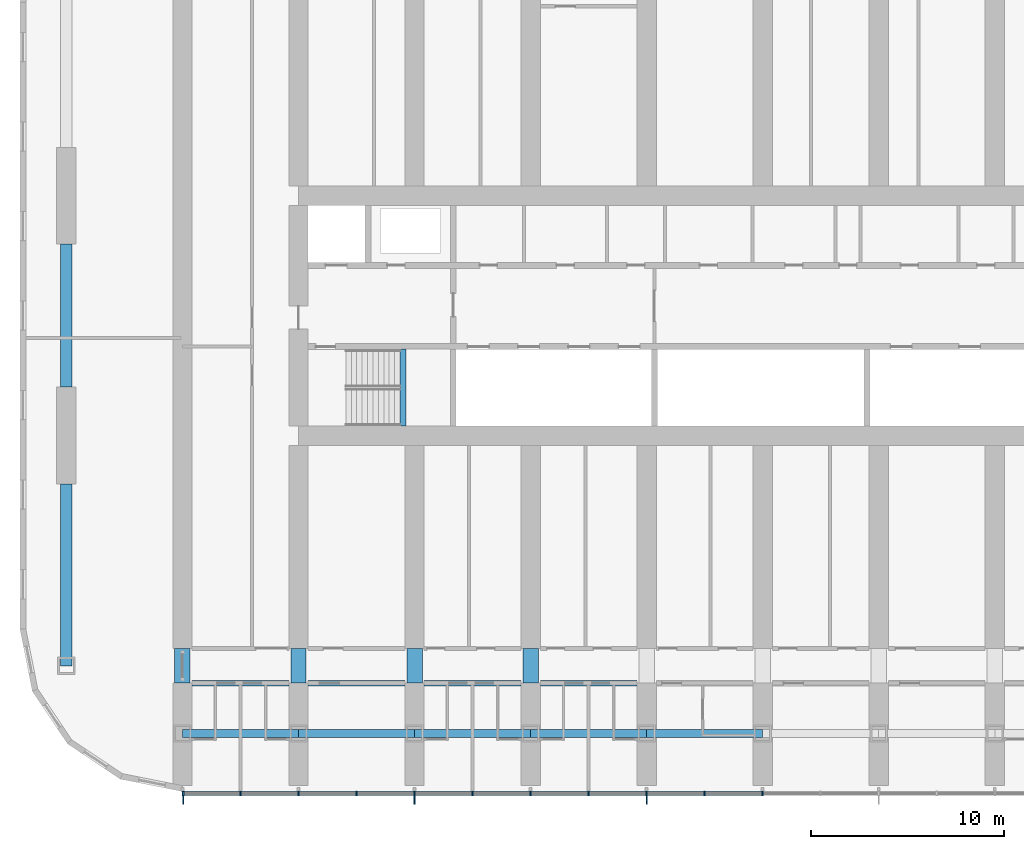
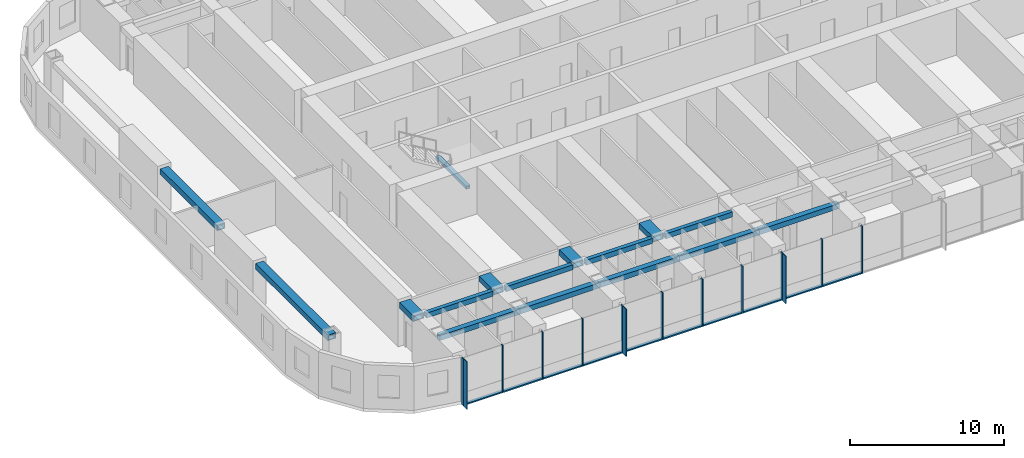
# One storey, part 2 of 23: 24 members, 16 beams, 1 element without a shape of its own.
"""IFC4 building model written with IfcOpenShell, lengths in metres."""

from ifc_helpers import new_model, si_unit, direction, frame, origin, origin_2d, place, context, subcontext, project, spatial, rectangle, hollow_rectangle, extrude, material, material_profile, profile_set, type_object, element, aggregate, save


model = new_model("IFC4")

# Units and contexts
model_context = context("Model", 3, precision=1e-05, world=origin(), true_north=direction((0.0, 1.0)))
body_context = subcontext(model_context, "Body", "Model", "MODEL_VIEW")
ifc_project = project(units=[si_unit("LENGTHUNIT", "METRE"), si_unit("AREAUNIT", "SQUARE_METRE"), si_unit("VOLUMEUNIT", "CUBIC_METRE"), si_unit("PLANEANGLEUNIT", "RADIAN"), si_unit("MASSUNIT", "GRAM", prefix="KILO")], contexts=[model_context])

# Site, building, storey
site_placement = place(None, origin())
site = spatial("IfcSite", under=ifc_project, at=site_placement, CompositionType="ELEMENT")
building_placement = place(site_placement, origin())
building = spatial("IfcBuilding", under=site, at=building_placement, Name="Orbita Commons", CompositionType="ELEMENT")
storey_placement = place(building_placement, frame((0.0, 0.0, 46.449951171875)))
storey = spatial("IfcBuildingStorey", under=building, at=storey_placement, Name="L11", CompositionType="ELEMENT", Elevation=46.449951171875)

# Curtain wall, members
ifc_material_1 = material(Name="Anodised aluminium frame, pale silver", Category="aluminium")
curtain_wall_type = type_object("IfcCurtainWallType", Name="Unitised curtain wall CW-T, vision and spandrel", PredefinedType="NOTDEFINED", material=ifc_material_1)
curtain_wall_placement = place(storey_placement, origin())
curtain_wall = element("IfcCurtainWall", 1, at=curtain_wall_placement, inside=storey, type_object=curtain_wall_type, Name="Curtain wall south L11", PredefinedType="NOTDEFINED")
ifc_material_2 = material(Name="Anodised aluminium, pale silver", Category="aluminium")
ifc_material_profile_1 = material_profile(ifc_material_2, rectangle(XDim=0.080078125, YDim=0.219970703125, at=origin_2d()), Name="AL 80x220")
ifc_profile_set_1 = profile_set([ifc_material_profile_1], Name="Anodised aluminium, pale silver")
member_type_1 = type_object("IfcMemberType", Name="Curtain wall mullion 80x220", PredefinedType="MULLION", material=ifc_profile_set_1)
member_1_placement = place(storey_placement, frame((12.0400390625, 7.2900390625, -0.25), z_axis=(0.0, 0.0, 1.0), x_axis=(1.0, 0.0, 0.0)))
member_1 = element("IfcMember", 2, at=member_1_placement, type_object=member_type_1, Name="Mullion 1 CW-L11-S", PredefinedType="MULLION", context=body_context, shape_type="SweptSolid", body=[
    extrude(rectangle(XDim=0.080078125, YDim=0.219970703125, at=origin_2d()), origin(), (0.0, 0.0, 1.0), 3.75),
])
member_2_placement = place(storey_placement, frame((15.0, 7.2900390625, -0.25), z_axis=(0.0, 0.0, 1.0), x_axis=(1.0, 0.0, 0.0)))
member_2 = element("IfcMember", 3, at=member_2_placement, type_object=member_type_1, Name="Mullion 2 CW-L11-S", PredefinedType="MULLION", context=body_context, shape_type="SweptSolid", body=[
    extrude(rectangle(XDim=0.080078125, YDim=0.219970703125, at=origin_2d()), origin(), (0.0, 0.0, 1.0), 3.75),
])
member_3_placement = place(storey_placement, frame((18.0, 7.2900390625, -0.25), z_axis=(0.0, 0.0, 1.0), x_axis=(1.0, 0.0, 0.0)))
member_3 = element("IfcMember", 4, at=member_3_placement, type_object=member_type_1, Name="Mullion 3 CW-L11-S", PredefinedType="MULLION", context=body_context, shape_type="SweptSolid", body=[
    extrude(rectangle(XDim=0.080078125, YDim=0.219970703125, at=origin_2d()), origin(), (0.0, 0.0, 1.0), 3.75),
])
member_4_placement = place(storey_placement, frame((21.0, 7.2900390625, -0.25), z_axis=(0.0, 0.0, 1.0), x_axis=(1.0, 0.0, 0.0)))
member_4 = element("IfcMember", 5, at=member_4_placement, type_object=member_type_1, Name="Mullion 4 CW-L11-S", PredefinedType="MULLION", context=body_context, shape_type="SweptSolid", body=[
    extrude(rectangle(XDim=0.080078125, YDim=0.219970703125, at=origin_2d()), origin(), (0.0, 0.0, 1.0), 3.75),
])
member_5_placement = place(storey_placement, frame((24.0, 7.2900390625, -0.25), z_axis=(0.0, 0.0, 1.0), x_axis=(1.0, 0.0, 0.0)))
member_5 = element("IfcMember", 6, at=member_5_placement, type_object=member_type_1, Name="Mullion 5 CW-L11-S", PredefinedType="MULLION", context=body_context, shape_type="SweptSolid", body=[
    extrude(rectangle(XDim=0.080078125, YDim=0.219970703125, at=origin_2d()), origin(), (0.0, 0.0, 1.0), 3.75),
])
member_6_placement = place(storey_placement, frame((27.0, 7.2900390625, -0.25), z_axis=(0.0, 0.0, 1.0), x_axis=(1.0, 0.0, 0.0)))
member_6 = element("IfcMember", 7, at=member_6_placement, type_object=member_type_1, Name="Mullion 6 CW-L11-S", PredefinedType="MULLION", context=body_context, shape_type="SweptSolid", body=[
    extrude(rectangle(XDim=0.080078125, YDim=0.219970703125, at=origin_2d()), origin(), (0.0, 0.0, 1.0), 3.75),
])
member_7_placement = place(storey_placement, frame((30.0, 7.2900390625, -0.25), z_axis=(0.0, 0.0, 1.0), x_axis=(1.0, 0.0, 0.0)))
member_7 = element("IfcMember", 8, at=member_7_placement, type_object=member_type_1, Name="Mullion 7 CW-L11-S", PredefinedType="MULLION", context=body_context, shape_type="SweptSolid", body=[
    extrude(rectangle(XDim=0.080078125, YDim=0.219970703125, at=origin_2d()), origin(), (0.0, 0.0, 1.0), 3.75),
])
member_8_placement = place(storey_placement, frame((33.0, 7.2900390625, -0.25), z_axis=(0.0, 0.0, 1.0), x_axis=(1.0, 0.0, 0.0)))
member_8 = element("IfcMember", 9, at=member_8_placement, type_object=member_type_1, Name="Mullion 8 CW-L11-S", PredefinedType="MULLION", context=body_context, shape_type="SweptSolid", body=[
    extrude(rectangle(XDim=0.080078125, YDim=0.219970703125, at=origin_2d()), origin(), (0.0, 0.0, 1.0), 3.75),
])
member_9_placement = place(storey_placement, frame((36.0, 7.2900390625, -0.25), z_axis=(0.0, 0.0, 1.0), x_axis=(1.0, 0.0, 0.0)))
member_9 = element("IfcMember", 10, at=member_9_placement, type_object=member_type_1, Name="Mullion 9 CW-L11-S", PredefinedType="MULLION", context=body_context, shape_type="SweptSolid", body=[
    extrude(rectangle(XDim=0.080078125, YDim=0.219970703125, at=origin_2d()), origin(), (0.0, 0.0, 1.0), 3.75),
])
member_10_placement = place(storey_placement, frame((39.0, 7.2900390625, -0.25), z_axis=(0.0, 0.0, 1.0), x_axis=(1.0, 0.0, 0.0)))
member_10 = element("IfcMember", 11, at=member_10_placement, type_object=member_type_1, Name="Mullion 10 CW-L11-S", PredefinedType="MULLION", context=body_context, shape_type="SweptSolid", body=[
    extrude(rectangle(XDim=0.080078125, YDim=0.219970703125, at=origin_2d()), origin(), (0.0, 0.0, 1.0), 3.75),
])
member_11_placement = place(storey_placement, frame((42.0, 7.2900390625, -0.25), z_axis=(0.0, 0.0, 1.0), x_axis=(1.0, 0.0, 0.0)))
member_11 = element("IfcMember", 12, at=member_11_placement, type_object=member_type_1, Name="Mullion 11 CW-L11-S", PredefinedType="MULLION", context=body_context, shape_type="SweptSolid", body=[
    extrude(rectangle(XDim=0.080078125, YDim=0.219970703125, at=origin_2d()), origin(), (0.0, 0.0, 1.0), 3.75),
])
ifc_material_3 = material(Name="Anodised aluminium, pale silver", Category="aluminium")
ifc_material_profile_2 = material_profile(ifc_material_3, rectangle(XDim=0.219970703125, YDim=0.10009765625, at=origin_2d()), Name="AL 220x100")
ifc_profile_set_2 = profile_set([ifc_material_profile_2], Name="Anodised aluminium, pale silver")
member_type_2 = type_object("IfcMemberType", Name="Curtain wall stack transom 220x100", PredefinedType="USERDEFINED", material=ifc_profile_set_2)
member_12_placement = place(storey_placement, frame((12.080078125, 7.2900390625, -0.199951171875), z_axis=(1.0, 0.0, 0.0), x_axis=(0.0, 1.0, 0.0)))
member_12 = element("IfcMember", 13, at=member_12_placement, type_object=member_type_2, Name="Transom 1.1 CW-L11-S", ObjectType="TRANSOM", PredefinedType="USERDEFINED", context=body_context, shape_type="SweptSolid", body=[
    extrude(rectangle(XDim=0.219970703125, YDim=0.10009765625, at=origin_2d()), origin(), (0.0, 0.0, 1.0), 2.8798828125),
])
member_13_placement = place(storey_placement, frame((15.0400390625, 7.2900390625, -0.199951171875), z_axis=(1.0, 0.0, 0.0), x_axis=(0.0, 1.0, 0.0)))
member_13 = element("IfcMember", 14, at=member_13_placement, type_object=member_type_2, Name="Transom 2.1 CW-L11-S", ObjectType="TRANSOM", PredefinedType="USERDEFINED", context=body_context, shape_type="SweptSolid", body=[
    extrude(rectangle(XDim=0.219970703125, YDim=0.10009765625, at=origin_2d()), origin(), (0.0, 0.0, 1.0), 2.919921875),
])
member_14_placement = place(storey_placement, frame((18.0400390625, 7.2900390625, -0.199951171875), z_axis=(1.0, 0.0, 0.0), x_axis=(0.0, 1.0, 0.0)))
member_14 = element("IfcMember", 15, at=member_14_placement, type_object=member_type_2, Name="Transom 3.1 CW-L11-S", ObjectType="TRANSOM", PredefinedType="USERDEFINED", context=body_context, shape_type="SweptSolid", body=[
    extrude(rectangle(XDim=0.219970703125, YDim=0.10009765625, at=origin_2d()), origin(), (0.0, 0.0, 1.0), 2.919921875),
])
member_15_placement = place(storey_placement, frame((21.0400390625, 7.2900390625, -0.199951171875), z_axis=(1.0, 0.0, 0.0), x_axis=(0.0, 1.0, 0.0)))
member_15 = element("IfcMember", 16, at=member_15_placement, type_object=member_type_2, Name="Transom 4.1 CW-L11-S", ObjectType="TRANSOM", PredefinedType="USERDEFINED", context=body_context, shape_type="SweptSolid", body=[
    extrude(rectangle(XDim=0.219970703125, YDim=0.10009765625, at=origin_2d()), origin(), (0.0, 0.0, 1.0), 2.919921875),
])
member_16_placement = place(storey_placement, frame((24.0400390625, 7.2900390625, -0.199951171875), z_axis=(1.0, 0.0, 0.0), x_axis=(0.0, 1.0, 0.0)))
member_16 = element("IfcMember", 17, at=member_16_placement, type_object=member_type_2, Name="Transom 5.1 CW-L11-S", ObjectType="TRANSOM", PredefinedType="USERDEFINED", context=body_context, shape_type="SweptSolid", body=[
    extrude(rectangle(XDim=0.219970703125, YDim=0.10009765625, at=origin_2d()), origin(), (0.0, 0.0, 1.0), 2.919921875),
])
member_17_placement = place(storey_placement, frame((27.0400390625, 7.2900390625, -0.199951171875), z_axis=(1.0, 0.0, 0.0), x_axis=(0.0, 1.0, 0.0)))
member_17 = element("IfcMember", 18, at=member_17_placement, type_object=member_type_2, Name="Transom 6.1 CW-L11-S", ObjectType="TRANSOM", PredefinedType="USERDEFINED", context=body_context, shape_type="SweptSolid", body=[
    extrude(rectangle(XDim=0.219970703125, YDim=0.10009765625, at=origin_2d()), origin(), (0.0, 0.0, 1.0), 2.919921875),
])
member_18_placement = place(storey_placement, frame((30.0400390625, 7.2900390625, -0.199951171875), z_axis=(1.0, 0.0, 0.0), x_axis=(0.0, 1.0, 0.0)))
member_18 = element("IfcMember", 19, at=member_18_placement, type_object=member_type_2, Name="Transom 7.1 CW-L11-S", ObjectType="TRANSOM", PredefinedType="USERDEFINED", context=body_context, shape_type="SweptSolid", body=[
    extrude(rectangle(XDim=0.219970703125, YDim=0.10009765625, at=origin_2d()), origin(), (0.0, 0.0, 1.0), 2.919921875),
])
member_19_placement = place(storey_placement, frame((33.0400390625, 7.2900390625, -0.199951171875), z_axis=(1.0, 0.0, 0.0), x_axis=(0.0, 1.0, 0.0)))
member_19 = element("IfcMember", 20, at=member_19_placement, type_object=member_type_2, Name="Transom 8.1 CW-L11-S", ObjectType="TRANSOM", PredefinedType="USERDEFINED", context=body_context, shape_type="SweptSolid", body=[
    extrude(rectangle(XDim=0.219970703125, YDim=0.10009765625, at=origin_2d()), origin(), (0.0, 0.0, 1.0), 2.919921875),
])
member_20_placement = place(storey_placement, frame((36.0400390625, 7.2900390625, -0.199951171875), z_axis=(1.0, 0.0, 0.0), x_axis=(0.0, 1.0, 0.0)))
member_20 = element("IfcMember", 21, at=member_20_placement, type_object=member_type_2, Name="Transom 9.1 CW-L11-S", ObjectType="TRANSOM", PredefinedType="USERDEFINED", context=body_context, shape_type="SweptSolid", body=[
    extrude(rectangle(XDim=0.219970703125, YDim=0.10009765625, at=origin_2d()), origin(), (0.0, 0.0, 1.0), 2.919921875),
])
member_21_placement = place(storey_placement, frame((39.0400390625, 7.2900390625, -0.199951171875), z_axis=(1.0, 0.0, 0.0), x_axis=(0.0, 1.0, 0.0)))
member_21 = element("IfcMember", 22, at=member_21_placement, type_object=member_type_2, Name="Transom 10.1 CW-L11-S", ObjectType="TRANSOM", PredefinedType="USERDEFINED", context=body_context, shape_type="SweptSolid", body=[
    extrude(rectangle(XDim=0.219970703125, YDim=0.10009765625, at=origin_2d()), origin(), (0.0, 0.0, 1.0), 2.919921875),
])

# Beams
ifc_material_4 = material(Name="Steel ASTM A572 Gr 50 welded plate", Category="steel")
ifc_material_profile_3 = material_profile(ifc_material_4, hollow_rectangle(XDim=0.300048828125, YDim=0.25, WallThickness=0.02490234375, at=origin_2d()), Name="BOX 250x300x25")
ifc_profile_set_3 = profile_set([ifc_material_profile_3], Name="Steel ASTM A572 Gr 50 welded plate")
beam_type_1 = type_object("IfcBeamType", Name="Stair landing beam steel BOX 250x300x25", PredefinedType="BEAM", material=ifc_profile_set_3)
beam_1_placement = place(storey_placement, frame((23.39990234375, 26.284912109375, 1.550048828125), z_axis=(0.0, 1.0, 0.0), x_axis=(-1.0, 0.0, 0.0)))
element("IfcBeam", 23, at=beam_1_placement, inside=storey, type_object=beam_type_1, Name="Stair S1 landing beam L11 1", PredefinedType="BEAM", context=body_context, shape_type="SweptSolid", body=[
    extrude(hollow_rectangle(XDim=0.300048828125, YDim=0.25, WallThickness=0.02490234375, at=origin_2d()), origin(), (0.0, 0.0, 1.0), 3.97998046875),
])
ifc_material_5 = material(Name="Steel ASTM A572 Gr 50 welded plate", Category="steel")
ifc_material_profile_4 = material_profile(ifc_material_5, hollow_rectangle(XDim=0.300048828125, YDim=0.39990234375, WallThickness=0.0400390625, at=origin_2d()), Name="BOX 400x300x40")
ifc_profile_set_4 = profile_set([ifc_material_profile_4], Name="Steel ASTM A572 Gr 50 welded plate")
beam_type_2 = type_object("IfcBeamType", Name="Steel corridor link BOX 400x300x40", PredefinedType="BEAM", material=ifc_profile_set_4)
for number, where, z_axis, x_axis, name in (
    (24, (12.5, 13.0, 3.300048828125), (1.0, 0.0, 0.0), (0.0, 1.0, 0.0), "Corridor beam SA 3-4 L11"),
    (25, (18.5, 13.0, 3.300048828125), (1.0, 0.0, 0.0), (0.0, 1.0, 0.0), "Corridor beam SA 4-5 L11"),
    (26, (24.5, 13.0, 3.300048828125), (1.0, 0.0, 0.0), (0.0, 1.0, 0.0), "Corridor beam SA 5-6 L11"),
    (27, (30.5, 13.0, 3.300048828125), (1.0, 0.0, 0.0), (0.0, 1.0, 0.0), "Corridor beam SA 6-7 L11"),
):
    element("IfcBeam", number, at=place(storey_placement, frame(where, z_axis=z_axis, x_axis=x_axis)), inside=storey, type_object=beam_type_2, Name=name, PredefinedType="BEAM", context=body_context, shape_type="SweptSolid", body=[
        extrude(hollow_rectangle(XDim=0.300048828125, YDim=0.39990234375, WallThickness=0.0400390625, at=origin_2d()), origin(), (0.0, 0.0, 1.0), 5.0),
    ])
ifc_material_6 = material(Name="Steel ASTM A572 Gr 50 welded plate", Category="steel")
ifc_material_profile_5 = material_profile(ifc_material_6, hollow_rectangle(XDim=0.800048828125, YDim=0.449951171875, WallThickness=0.06005859375, at=origin_2d()), Name="BOX 450x800x60")
ifc_profile_set_5 = profile_set([ifc_material_profile_5], Name="Steel ASTM A572 Gr 50 welded plate")
beam_type_3 = type_object("IfcBeamType", Name="Steel coupling link BOX 450x800x60", PredefinedType="LINTEL", material=ifc_profile_set_5)
for number, where, z_axis, x_axis, name in (
    (28, (12.0, 13.0, 3.275146484375), (0.0, 1.0, 0.0), (-1.0, 0.0, 0.0), "Coupling beam 3 south L11"),
    (29, (18.0, 13.0, 3.275146484375), (0.0, 1.0, 0.0), (-1.0, 0.0, 0.0), "Coupling beam 4 south L11"),
    (30, (24.0, 13.0, 3.275146484375), (0.0, 1.0, 0.0), (-1.0, 0.0, 0.0), "Coupling beam 5 south L11"),
    (31, (30.0, 13.0, 3.275146484375), (0.0, 1.0, 0.0), (-1.0, 0.0, 0.0), "Coupling beam 6 south L11"),
):
    element("IfcBeam", number, at=place(storey_placement, frame(where, z_axis=z_axis, x_axis=x_axis)), inside=storey, type_object=beam_type_3, Name=name, PredefinedType="LINTEL", context=body_context, shape_type="SweptSolid", body=[
        extrude(hollow_rectangle(XDim=0.800048828125, YDim=0.449951171875, WallThickness=0.06005859375, at=origin_2d()), origin(), (0.0, 0.0, 1.0), 1.800048828125),
    ])
ifc_material_7 = material(Name="Steel ASTM A572 Gr 50 welded plate", Category="steel")
ifc_material_profile_6 = material_profile(ifc_material_7, hollow_rectangle(XDim=0.60009765625, YDim=0.449951171875, WallThickness=0.06005859375, at=origin_2d()), Name="BOX 450x600x60")
ifc_profile_set_6 = profile_set([ifc_material_profile_6], Name="Steel ASTM A572 Gr 50 welded plate")
beam_type_4 = type_object("IfcBeamType", Name="Steel end frame link BOX 450x600x60", PredefinedType="BEAM", material=ifc_profile_set_6)
beam_2_placement = place(storey_placement, frame((6.0, 13.89990234375, 3.275146484375), z_axis=(0.0, 1.0, 0.0), x_axis=(-1.0, 0.0, 0.0)))
element("IfcBeam", 32, at=beam_2_placement, inside=storey, type_object=beam_type_4, Name="End frame beam 2 B-C L11", PredefinedType="BEAM", context=body_context, shape_type="SweptSolid", body=[
    extrude(hollow_rectangle(XDim=0.60009765625, YDim=0.449951171875, WallThickness=0.06005859375, at=origin_2d()), origin(), (0.0, 0.0, 1.0), 9.400146484375),
])
beam_3_placement = place(storey_placement, frame((6.0, 28.300048828125, 3.275146484375), z_axis=(0.0, 1.0, 0.0), x_axis=(-1.0, 0.0, 0.0)))
element("IfcBeam", 33, at=beam_3_placement, inside=storey, type_object=beam_type_4, Name="End frame beam 2 C-D L11", PredefinedType="BEAM", context=body_context, shape_type="SweptSolid", body=[
    extrude(hollow_rectangle(XDim=0.60009765625, YDim=0.449951171875, WallThickness=0.06005859375, at=origin_2d()), origin(), (0.0, 0.0, 1.0), 7.39990234375),
])
ifc_material_8 = material(Name="Steel ASTM A572 Gr 50 welded plate", Category="steel")
ifc_material_profile_7 = material_profile(ifc_material_8, hollow_rectangle(XDim=0.39990234375, YDim=0.39990234375, WallThickness=0.0400390625, at=origin_2d()), Name="BOX 400x400x40")
ifc_profile_set_7 = profile_set([ifc_material_profile_7], Name="Steel ASTM A572 Gr 50 welded plate")
beam_type_5 = type_object("IfcBeamType", Name="Steel spandrel BOX 400x400x40", PredefinedType="SPANDREL", material=ifc_profile_set_7)
for number, where, z_axis, x_axis, name in (
    (34, (12.0, 10.39990234375, 3.300048828125), (1.0, 0.0, 0.0), (0.0, 1.0, 0.0), "Spandrel beam B 3-4 L11"),
    (35, (18.0, 10.39990234375, 3.300048828125), (1.0, 0.0, 0.0), (0.0, 1.0, 0.0), "Spandrel beam B 4-5 L11"),
    (36, (24.0, 10.39990234375, 3.300048828125), (1.0, 0.0, 0.0), (0.0, 1.0, 0.0), "Spandrel beam B 5-6 L11"),
    (37, (30.0, 10.39990234375, 3.300048828125), (1.0, 0.0, 0.0), (0.0, 1.0, 0.0), "Spandrel beam B 6-7 L11"),
    (38, (36.0, 10.39990234375, 3.300048828125), (1.0, 0.0, 0.0), (0.0, 1.0, 0.0), "Spandrel beam B 7-8 L11"),
):
    element("IfcBeam", number, at=place(storey_placement, frame(where, z_axis=z_axis, x_axis=x_axis)), inside=storey, type_object=beam_type_5, Name=name, PredefinedType="SPANDREL", context=body_context, shape_type="SweptSolid", body=[
        extrude(hollow_rectangle(XDim=0.39990234375, YDim=0.39990234375, WallThickness=0.0400390625, at=origin_2d()), origin(), (0.0, 0.0, 1.0), 6.0),
    ])

# Member
ifc_material_9 = material(Name="Anodised aluminium, pale silver", Category="aluminium")
ifc_material_profile_8 = material_profile(ifc_material_9, rectangle(XDim=0.06005859375, YDim=0.449951171875, at=origin_2d()), Name="FIN 60x450")
ifc_profile_set_8 = profile_set([ifc_material_profile_8], Name="Anodised aluminium, pale silver")
member_type_3 = type_object("IfcMemberType", Name="Vertical fin 60x450 pale aluminium", PredefinedType="USERDEFINED", material=ifc_profile_set_8)
member_22_placement = place(storey_placement, frame((12.0400390625, 6.955078125, -0.25), z_axis=(0.0, 0.0, 1.0), x_axis=(1.0, 0.0, 0.0)))
member_22 = element("IfcMember", 39, at=member_22_placement, type_object=member_type_3, Name="Fin 1 CW-L11-S", ObjectType="FIN", PredefinedType="USERDEFINED", context=body_context, shape_type="SweptSolid", body=[
    extrude(rectangle(XDim=0.06005859375, YDim=0.449951171875, at=origin_2d()), origin(), (0.0, 0.0, 1.0), 3.75),
])

member_23_placement = place(storey_placement, frame((24.0, 6.955078125, -0.25), z_axis=(0.0, 0.0, 1.0), x_axis=(1.0, 0.0, 0.0)))
member_23 = element("IfcMember", 40, at=member_23_placement, type_object=member_type_3, Name="Fin 5 CW-L11-S", ObjectType="FIN", PredefinedType="USERDEFINED", context=body_context, shape_type="SweptSolid", body=[
    extrude(rectangle(XDim=0.06005859375, YDim=0.449951171875, at=origin_2d()), origin(), (0.0, 0.0, 1.0), 3.75),
])

member_24_placement = place(storey_placement, frame((36.0, 6.955078125, -0.25), z_axis=(0.0, 0.0, 1.0), x_axis=(1.0, 0.0, 0.0)))
member_24 = element("IfcMember", 41, at=member_24_placement, type_object=member_type_3, Name="Fin 9 CW-L11-S", ObjectType="FIN", PredefinedType="USERDEFINED", context=body_context, shape_type="SweptSolid", body=[
    extrude(rectangle(XDim=0.06005859375, YDim=0.449951171875, at=origin_2d()), origin(), (0.0, 0.0, 1.0), 3.75),
])

aggregate(curtain_wall, [member_1, member_22, member_2, member_3, member_4, member_5, member_23, member_6, member_7, member_8, member_9, member_24, member_10, member_11, member_12, member_13, member_14, member_15, member_16, member_17, member_18, member_19, member_20, member_21])

save(model, "model.ifc")
